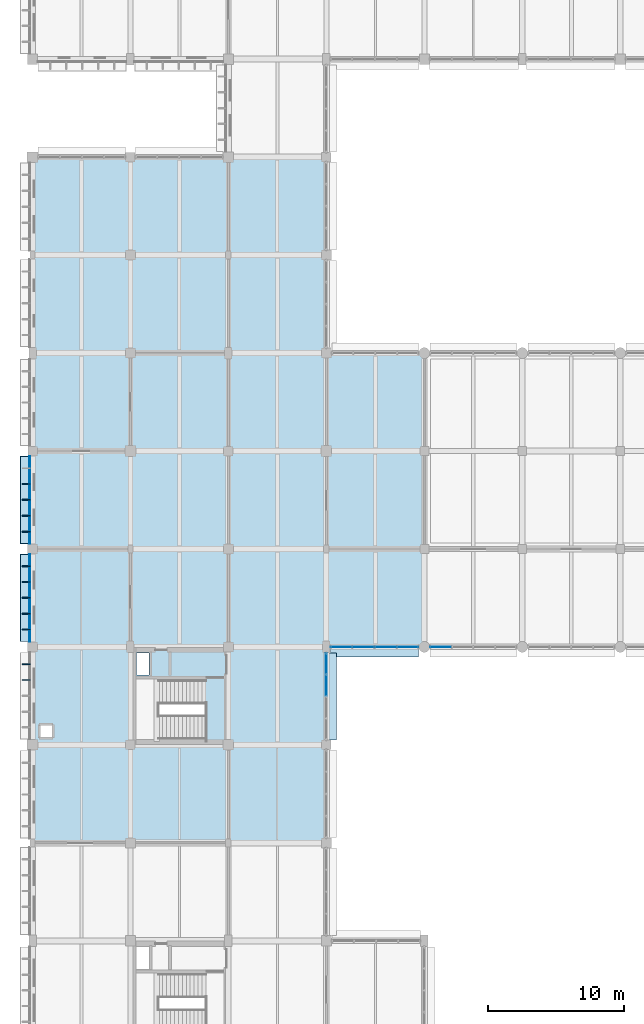
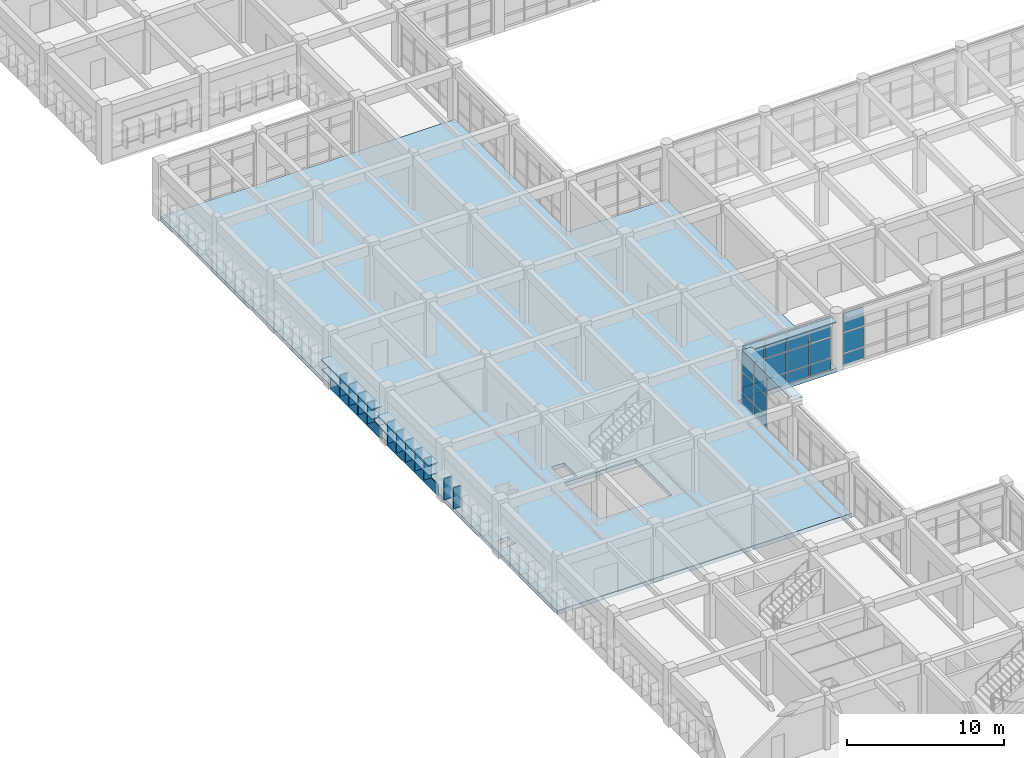
# One storey, part 121 of 171: 40 plates, 1 slab, 3 elements without a shape of their own.
"""IFC4 building model written with IfcOpenShell, lengths in metres."""

import ifcopenshell
import ifcopenshell.guid

model = None  # the IFC model being written
_history = None  # IfcOwnerHistory: only IFC2X3 demands one
_inside = {}  # id of a spatial element -> (the spatial element, [elements in it])
_under = {}  # id of a project, library or spatial element -> (it, [spatial elements below it])
_declared = {}  # id of a project -> (the project, [libraries it declares])
_typed = {}  # id of a type object -> (the type object, [elements of that type])
_made_of = {}  # id of a material, layer set ... -> (it, [elements and type objects made of it])


def new_model(schema):
    """Start an empty IFC model of exactly this schema.

    Asked for "IFC4X3", IfcOpenShell would pick the latest addendum, in which some entities
    have other attributes; the version numbers below select the first issue.
    IFC2X3 requires an IfcOwnerHistory on every rooted entity: one is made here for all.
    """
    global model, _history
    if schema == "IFC4X3":
        model = ifcopenshell.file(schema_version=(4, 3, 0, 0))
    else:
        model = ifcopenshell.file(schema=schema)
    _inside.clear()
    _under.clear()
    _declared.clear()
    _typed.clear()
    _made_of.clear()
    _history = None
    if model.schema == "IFC2X3":
        org = make("IfcOrganization", Name="unknown")
        user = make(
            "IfcPersonAndOrganization",
            ThePerson=make("IfcPerson", FamilyName="unknown"),
            TheOrganization=org,
        )
        app = make(
            "IfcApplication",
            ApplicationDeveloper=org,
            Version="unknown",
            ApplicationFullName="unknown",
            ApplicationIdentifier="unknown",
        )
        _history = make(
            "IfcOwnerHistory",
            OwningUser=user,
            OwningApplication=app,
            ChangeAction="ADDED",
            CreationDate=0,
        )
    return model


def make(cls, **values):
    """One entity of the class cls with the attributes given. An attribute that is None is left unset."""
    return model.create_entity(
        cls, **{name: value for name, value in values.items() if value is not None}
    )


def rooted(cls, **values):
    """An entity with a GlobalId (a new one), such as an element, a storey or a relation."""
    return make(cls, GlobalId=ifcopenshell.guid.new(), OwnerHistory=_history, **values)


def si_unit(unit_type, name, prefix=None):
    """IfcSIUnit, for example si_unit("LENGTHUNIT", "METRE", prefix="MILLI")."""
    return make("IfcSIUnit", UnitType=unit_type, Prefix=prefix, Name=name)


def assignment(units):
    """IfcUnitAssignment: the units of a project."""
    return None if units is None else make("IfcUnitAssignment", Units=units)


def point(xyz):
    """IfcCartesianPoint."""
    return None if xyz is None else make("IfcCartesianPoint", Coordinates=xyz)


def direction(xyz):
    """IfcDirection."""
    return None if xyz is None else make("IfcDirection", DirectionRatios=xyz)


def frame(location, z_axis=None, x_axis=None):
    """IfcAxis2Placement3D, a coordinate frame: its origin and axes. An axis left out is left unset."""
    return make(
        "IfcAxis2Placement3D",
        Location=point(location),
        Axis=direction(z_axis),
        RefDirection=direction(x_axis),
    )


def frame_2d(location, x_axis=None):
    """IfcAxis2Placement2D, a coordinate frame in the plane: its origin and x axis."""
    return make(
        "IfcAxis2Placement2D", Location=point(location), RefDirection=direction(x_axis)
    )


def origin():
    """The frame at (0, 0, 0) with its axes left unset."""
    return frame((0.0, 0.0, 0.0))


def origin_2d():
    """The frame at (0, 0) in the plane with its x axis left unset."""
    return frame_2d((0.0, 0.0))


def place(relative_to, where):
    """IfcLocalPlacement: puts the frame where relative to a parent placement (None: the world)."""
    return make(
        "IfcLocalPlacement", PlacementRelTo=relative_to, RelativePlacement=where
    )


def context(
    kind, dimensions, precision=None, world=None, true_north=None, identifier=None
):
    """IfcGeometricRepresentationContext, for example the 3D "Model" context."""
    return make(
        "IfcGeometricRepresentationContext",
        ContextIdentifier=identifier,
        ContextType=kind,
        CoordinateSpaceDimension=dimensions,
        Precision=precision,
        WorldCoordinateSystem=world,
        TrueNorth=true_north,
    )


def subcontext(parent, identifier, kind, view, scale=None):
    """IfcGeometricRepresentationSubContext, for example "Body" below "Model"."""
    return make(
        "IfcGeometricRepresentationSubContext",
        ContextIdentifier=identifier,
        ContextType=kind,
        ParentContext=parent,
        TargetScale=scale,
        TargetView=view,
    )


def project(units=None, contexts=None):
    """IfcProject with its units and contexts."""
    return rooted(
        "IfcProject",
        Name="project",
        RepresentationContexts=contexts,
        UnitsInContext=assignment(units),
    )


def spatial(cls, under=None, at=None, **own):
    """A site, building, storey or space (cls), placed at a placement, below another one or the project."""
    s = rooted(cls, ObjectPlacement=at, **own)
    if under is not None:
        _under.setdefault(under.id(), (under, []))[1].append(s)
    return s


def polyline(points):
    """IfcPolyline through the points."""
    return make("IfcPolyline", Points=[point(p) for p in points])


def profile(cls, at=None, kind="AREA", **sizes):
    """A parametric profile (cls). Its sizes go by their IFC names, for example OverallWidth=200.0."""
    return make(cls, ProfileType=kind, Position=at, **sizes)


def rectangle(**sizes):
    """IfcRectangleProfileDef."""
    return profile("IfcRectangleProfileDef", **sizes)


def outline(outer, holes=None, kind="AREA"):
    """IfcArbitraryClosedProfileDef: a profile drawn as a closed curve; with holes, ...WithVoids."""
    if holes is None:
        return make("IfcArbitraryClosedProfileDef", ProfileType=kind, OuterCurve=outer)
    return make(
        "IfcArbitraryProfileDefWithVoids",
        ProfileType=kind,
        OuterCurve=outer,
        InnerCurves=holes,
    )


def extrude(swept, where, along, depth):
    """IfcExtrudedAreaSolid: the profile swept, set in the frame where, extruded along a direction by depth."""
    return make(
        "IfcExtrudedAreaSolid",
        SweptArea=swept,
        Position=where,
        ExtrudedDirection=direction(along),
        Depth=depth,
    )


def shape(context_of_items, identifier, shape_type, items):
    """IfcShapeRepresentation: the items that make up one representation, for example the "Body"."""
    return make(
        "IfcShapeRepresentation",
        ContextOfItems=context_of_items,
        RepresentationIdentifier=identifier,
        RepresentationType=shape_type,
        Items=items,
    )


def material(Name=None, Category=None):
    """IfcMaterial."""
    return make("IfcMaterial", Name=Name, Category=Category)


def layer(
    of_material, thickness, ventilated=None, Name=None, Category=None, Priority=None
):
    """IfcMaterialLayer: one layer of a wall or slab, of a material (None: an air gap)."""
    return make(
        "IfcMaterialLayer",
        Material=of_material,
        LayerThickness=thickness,
        IsVentilated=ventilated,
        Name=Name,
        Category=Category,
        Priority=Priority,
    )


def layer_set(layers, Name=None):
    """IfcMaterialLayerSet."""
    return make("IfcMaterialLayerSet", MaterialLayers=layers, LayerSetName=Name)


def made_of(thing, what):
    """Note that an element or type object is made of a material, layer set ...; save() writes the relation."""
    if what is not None:
        _made_of.setdefault(what.id(), (what, []))[1].append(thing)
    return thing


def type_object(cls, material=None, **own):
    """A type object (cls), such as IfcWallType, which elements share."""
    return made_of(rooted(cls, **own), material)


def element(
    cls,
    number,
    at=None,
    inside=None,
    cuts=None,
    type_object=None,
    material=None,
    context=None,
    identifier="Body",
    shape_type=None,
    held_by="IfcProductDefinitionShape",
    body=None,
    shapes=None,
    **own,
):
    """One element of the class cls, such as IfcWall. Its Tag is "e" and its number.

    at: its placement. inside: the storey or other place that contains it. cuts: it is an
    opening in that element (IfcRelVoidsElement). A single representation is given by context,
    identifier, shape_type and body (its items); several are given by shapes. held_by: the class
    of the entity that holds the representations. save() writes the other relations.
    """
    e = rooted(cls, Tag="e%d" % number, ObjectPlacement=at, **own)
    if body is not None:
        shapes = [shape(context, identifier, shape_type, body)]
    if shapes is not None:
        e.Representation = make(held_by, Representations=shapes)
    if inside is not None:
        _inside.setdefault(inside.id(), (inside, []))[1].append(e)
    if cuts is not None:
        rooted(
            "IfcRelVoidsElement", RelatingBuildingElement=cuts, RelatedOpeningElement=e
        )
    if type_object is not None:
        _typed.setdefault(type_object.id(), (type_object, []))[1].append(e)
    return made_of(e, material)


def aggregate(whole, parts):
    """IfcRelAggregates: a whole, such as a stair, and the parts it consists of."""
    return rooted("IfcRelAggregates", RelatingObject=whole, RelatedObjects=parts)


def save(model, path):
    """Write the relations noted so far, then the file.

    IfcRelAggregates (storeys below a building ...), IfcRelContainedInSpatialStructure (elements
    in a storey), IfcRelDefinesByType, IfcRelAssociatesMaterial and IfcRelDeclares: one each for
    every whole, place, type object, material and project.
    """
    for whole, parts in _under.values():
        aggregate(whole, parts)
    for where, things in _inside.values():
        rooted(
            "IfcRelContainedInSpatialStructure",
            RelatedElements=things,
            RelatingStructure=where,
        )
    for kind, things in _typed.values():
        rooted("IfcRelDefinesByType", RelatedObjects=things, RelatingType=kind)
    for what, things in _made_of.values():
        rooted("IfcRelAssociatesMaterial", RelatedObjects=things, RelatingMaterial=what)
    for by, libraries in _declared.values():
        rooted("IfcRelDeclares", RelatingContext=by, RelatedDefinitions=libraries)
    model.write(path)


model = new_model("IFC4")

# Units and contexts
model_context = context("Model", 3, precision=1e-05, world=origin(), true_north=direction((0.0, 1.0)))
body_context = subcontext(model_context, "Body", "Model", "MODEL_VIEW")
ifc_project = project(units=[si_unit("LENGTHUNIT", "METRE"), si_unit("AREAUNIT", "SQUARE_METRE"), si_unit("VOLUMEUNIT", "CUBIC_METRE"), si_unit("PLANEANGLEUNIT", "RADIAN"), si_unit("MASSUNIT", "GRAM", prefix="KILO")], contexts=[model_context])

# Site, building, storey
site_placement = place(None, origin())
site = spatial("IfcSite", under=ifc_project, at=site_placement, CompositionType="ELEMENT")
building_placement = place(site_placement, origin())
building = spatial("IfcBuilding", under=site, at=building_placement, Name="Thalmaran Polytechnic", CompositionType="ELEMENT")
storey_placement = place(building_placement, frame((0.0, 0.0, 5.39990234375)))
storey = spatial("IfcBuildingStorey", under=building, at=storey_placement, Name="L01", CompositionType="ELEMENT", Elevation=5.39990234375)

# Plates
ifc_material_1 = material(Name="Anodised aluminium spandrel band", Category="aluminium")
ifc_layer_1 = layer(ifc_material_1, 0.054931640625, Name="Anodised aluminium spandrel band")
ifc_layer_set_1 = layer_set([ifc_layer_1], Name="Anodised aluminium spandrel band")
plate_type_1 = type_object("IfcPlateType", Name="PT-BD01", PredefinedType="SHEET", material=ifc_layer_set_1)
plate_1_placement = place(storey_placement, frame((-0.195068359375, 54.007568359375, 0.020263671875), z_axis=(0.0, 0.0, 1.0), x_axis=(0.0, 1.0, 0.0)))
element("IfcPlate", 1, at=plate_1_placement, inside=storey, type_object=plate_type_1, Name="Streamline Horizontal Spandrel Band L01-008", PredefinedType="SHEET", context=body_context, shape_type="SweptSolid", body=[
    extrude(rectangle(XDim=6.425048828125, YDim=0.054931640625, at=origin_2d()), origin(), (0.0, 0.0, 1.0), 0.8798828125),
])
plate_2_placement = place(storey_placement, frame((-0.195068359375, 61.205078125, 0.020263671875), z_axis=(0.0, 0.0, 1.0), x_axis=(0.0, 1.0, 0.0)))
element("IfcPlate", 2, at=plate_2_placement, inside=storey, type_object=plate_type_1, Name="Streamline Horizontal Spandrel Band L01-009", PredefinedType="SHEET", context=body_context, shape_type="SweptSolid", body=[
    extrude(rectangle(XDim=6.449951171875, YDim=0.054931640625, at=origin_2d()), origin(), (0.0, 0.0, 1.0), 0.8798828125),
])
ifc_material_2 = material(Name="Anodised aluminium sun-hood eyebrow", Category="aluminium")
ifc_layer_2 = layer(ifc_material_2, 0.0849609375, Name="Anodised aluminium sun-hood eyebrow")
ifc_layer_set_2 = layer_set([ifc_layer_2], Name="Anodised aluminium sun-hood eyebrow")
plate_type_2 = type_object("IfcPlateType", Name="PT-EB01", PredefinedType="SHEET", material=ifc_layer_set_2)
plate_3_placement = place(storey_placement, frame((-0.5400390625, 54.007568359375, 2.517578125), z_axis=(0.0, 0.0, 1.0), x_axis=(0.0, 1.0, 0.0)))
element("IfcPlate", 3, at=plate_3_placement, inside=storey, type_object=plate_type_2, Name="Streamline Sun-Hood Eyebrow L01-008", PredefinedType="SHEET", context=body_context, shape_type="SweptSolid", body=[
    extrude(rectangle(XDim=6.425048828125, YDim=0.760009765625, at=origin_2d()), origin(), (0.0, 0.0, 1.0), 0.0849609375),
])
plate_4_placement = place(storey_placement, frame((-0.52001953125, 54.007568359375, 1.74267578125), z_axis=(0.0, 0.0, 1.0), x_axis=(0.0, 1.0, 0.0)))
element("IfcPlate", 4, at=plate_4_placement, inside=storey, type_object=plate_type_2, Name="Abu Dhabi Horizontal Solar Louvre L01-008", PredefinedType="SHEET", context=body_context, shape_type="SweptSolid", body=[
    extrude(rectangle(XDim=6.385009765625, YDim=0.719970703125, at=origin_2d()), origin(), (0.0, 0.0, 1.0), 0.074951171875),
])
plate_5_placement = place(storey_placement, frame((-0.5400390625, 61.205078125, 2.517578125), z_axis=(0.0, 0.0, 1.0), x_axis=(0.0, 1.0, 0.0)))
element("IfcPlate", 5, at=plate_5_placement, inside=storey, type_object=plate_type_2, Name="Streamline Sun-Hood Eyebrow L01-009", PredefinedType="SHEET", context=body_context, shape_type="SweptSolid", body=[
    extrude(rectangle(XDim=6.449951171875, YDim=0.760009765625, at=origin_2d()), origin(), (0.0, 0.0, 1.0), 0.0849609375),
])
plate_6_placement = place(storey_placement, frame((-0.52001953125, 61.205078125, 1.74267578125), z_axis=(0.0, 0.0, 1.0), x_axis=(0.0, 1.0, 0.0)))
element("IfcPlate", 6, at=plate_6_placement, inside=storey, type_object=plate_type_2, Name="Abu Dhabi Horizontal Solar Louvre L01-009", PredefinedType="SHEET", context=body_context, shape_type="SweptSolid", body=[
    extrude(rectangle(XDim=6.409912109375, YDim=0.719970703125, at=origin_2d()), origin(), (0.0, 0.0, 1.0), 0.074951171875),
])
plate_7_placement = place(storey_placement, frame((25.137451171875, 50.0400390625, 4.107666015625), z_axis=(0.0, 0.0, 1.0), x_axis=(-1.0, 0.0, 0.0)))
element("IfcPlate", 7, at=plate_7_placement, inside=storey, type_object=plate_type_2, Name="Streamline Sun-Hood Eyebrow L01-CW157", PredefinedType="SHEET", context=body_context, shape_type="SweptSolid", body=[
    extrude(rectangle(XDim=6.485107421875, YDim=0.760009765625, at=origin_2d()), origin(), (0.0, 0.0, 1.0), 0.0849609375),
])
plate_8_placement = place(storey_placement, frame((21.9599609375, 46.762451171875, 4.107666015625), z_axis=(0.0, 0.0, 1.0), x_axis=(0.0, -1.0, 0.0)))
element("IfcPlate", 8, at=plate_8_placement, inside=storey, type_object=plate_type_2, Name="Streamline Sun-Hood Eyebrow L01-CW158", PredefinedType="SHEET", context=body_context, shape_type="SweptSolid", body=[
    extrude(rectangle(XDim=6.385009765625, YDim=0.760009765625, at=origin_2d()), origin(), (0.0, 0.0, 1.0), 0.0849609375),
])
ifc_material_3 = material(Name="Anodised bronze brise-soleil fin")
ifc_layer_3 = layer(ifc_material_3, 0.06494140625, Name="Anodised bronze brise-soleil fin")
ifc_layer_set_3 = layer_set([ifc_layer_3], Name="Anodised bronze brise-soleil fin")
plate_type_3 = type_object("IfcPlateType", Name="PT-FN01", PredefinedType="SHEET", material=ifc_layer_set_3)
for number, where, z_axis, x_axis, name in (
    (9, (-0.4599609375, 47.9658203125, 0.895263671875), (0.0, 0.0, 1.0), (0.0, 1.0, 0.0), "Abu Dhabi Solar Brise-Soleil Fin L01-007-4"),
    (10, (-0.4599609375, 49.1240234375, 0.895263671875), (0.0, 0.0, 1.0), (0.0, 1.0, 0.0), "Abu Dhabi Solar Brise-Soleil Fin L01-007-5"),
    (11, (-0.4599609375, 51.68017578125, 0.895263671875), (0.0, 0.0, 1.0), (0.0, 1.0, 0.0), "Abu Dhabi Solar Brise-Soleil Fin L01-008-1"),
    (12, (-0.4599609375, 52.84375, 0.895263671875), (0.0, 0.0, 1.0), (0.0, 1.0, 0.0), "Abu Dhabi Solar Brise-Soleil Fin L01-008-2"),
    (13, (-0.4599609375, 54.007568359375, 0.895263671875), (0.0, 0.0, 1.0), (0.0, 1.0, 0.0), "Abu Dhabi Solar Brise-Soleil Fin L01-008-3"),
    (14, (-0.4599609375, 55.171142578125, 0.895263671875), (0.0, 0.0, 1.0), (0.0, 1.0, 0.0), "Abu Dhabi Solar Brise-Soleil Fin L01-008-4"),
    (15, (-0.4599609375, 56.3349609375, 0.895263671875), (0.0, 0.0, 1.0), (0.0, 1.0, 0.0), "Abu Dhabi Solar Brise-Soleil Fin L01-008-5"),
    (16, (-0.4599609375, 58.86865234375, 0.895263671875), (0.0, 0.0, 1.0), (0.0, 1.0, 0.0), "Abu Dhabi Solar Brise-Soleil Fin L01-009-1"),
    (17, (-0.4599609375, 60.036865234375, 0.895263671875), (0.0, 0.0, 1.0), (0.0, 1.0, 0.0), "Abu Dhabi Solar Brise-Soleil Fin L01-009-2"),
    (18, (-0.4599609375, 61.205078125, 0.895263671875), (0.0, 0.0, 1.0), (0.0, 1.0, 0.0), "Abu Dhabi Solar Brise-Soleil Fin L01-009-3"),
    (19, (-0.4599609375, 62.373291015625, 0.895263671875), (0.0, 0.0, 1.0), (0.0, 1.0, 0.0), "Abu Dhabi Solar Brise-Soleil Fin L01-009-4"),
):
    element("IfcPlate", number, at=place(storey_placement, frame(where, z_axis=z_axis, x_axis=x_axis)), inside=storey, type_object=plate_type_3, Name=name, PredefinedType="SHEET", context=body_context, shape_type="SweptSolid", body=[
        extrude(rectangle(XDim=0.06494140625, YDim=0.56005859375, at=origin_2d()), origin(), (0.0, 0.0, 1.0), 1.64990234375),
    ])

# Curtain wall, plates
ifc_material_4 = material(Name="Aluminium 6063-T6", Category="aluminium")
curtain_wall_type_1 = type_object("IfcCurtainWallType", Name="CW-SC01", PredefinedType="USERDEFINED", material=ifc_material_4)
curtain_wall_1_placement = place(storey_placement, origin())
curtain_wall_1 = element("IfcCurtainWall", 20, at=curtain_wall_1_placement, inside=storey, type_object=curtain_wall_type_1, Name="Curtain Wall CW-L01-156", ObjectType="STICK CURTAIN WALL", PredefinedType="USERDEFINED")
ifc_material_5 = material(Name="Solar-control double low-E glass", Category="glass")
ifc_layer_4 = layer(ifc_material_5, 0.035888671875, Name="Solar-control double low-E glass")
ifc_layer_set_4 = layer_set([ifc_layer_4], Name="Solar-control double low-E glass")
plate_type_4 = type_object("IfcPlateType", Name="PT-GL02", PredefinedType="CURTAIN_PANEL", material=ifc_layer_set_4)
plate_9_placement = place(storey_placement, frame((30.0, 50.39990234375, 1.000244140625), z_axis=(0.0, 0.0, 1.0), x_axis=(-1.0, 0.0, 0.0)))
plate_9 = element("IfcPlate", 21, at=plate_9_placement, type_object=plate_type_4, Name="CW-L01-156 Vision Panel 4-2", PredefinedType="CURTAIN_PANEL", context=body_context, shape_type="SweptSolid", body=[
    extrude(rectangle(XDim=1.5, YDim=0.035888671875, at=origin_2d()), origin(), (0.0, 0.0, 1.0), 1.544921875),
])
plate_10_placement = place(storey_placement, frame((30.0, 50.39990234375, 2.625), z_axis=(0.0, 0.0, 1.0), x_axis=(-1.0, 0.0, 0.0)))
plate_10 = element("IfcPlate", 22, at=plate_10_placement, type_object=plate_type_4, Name="CW-L01-156 Vision Panel 4-3", PredefinedType="CURTAIN_PANEL", context=body_context, shape_type="SweptSolid", body=[
    extrude(rectangle(XDim=1.5, YDim=0.035888671875, at=origin_2d()), origin(), (0.0, 0.0, 1.0), 1.485107421875),
])

curtain_wall_type_2 = type_object("IfcCurtainWallType", Name="CW-UC02", PredefinedType="USERDEFINED", material=ifc_material_4)
curtain_wall_2_placement = place(storey_placement, origin())
curtain_wall_2 = element("IfcCurtainWall", 23, at=curtain_wall_2_placement, inside=storey, type_object=curtain_wall_type_2, Name="Curtain Wall CW-L01-157", ObjectType="UNITISED CURTAIN WALL", PredefinedType="USERDEFINED")
ifc_layer_5 = layer(ifc_material_5, 0.035888671875, Name="Solar-control double low-E glass")
ifc_layer_set_5 = layer_set([ifc_layer_5], Name="Solar-control double low-E glass")
plate_type_5 = type_object("IfcPlateType", Name="PT-GL03", PredefinedType="CURTAIN_PANEL", material=ifc_layer_set_5)
plate_11_placement = place(storey_placement, frame((27.58447265625, 50.39990234375, 1.000244140625), z_axis=(0.0, 0.0, 1.0), x_axis=(-1.0, 0.0, 0.0)))
plate_11 = element("IfcPlate", 24, at=plate_11_placement, type_object=plate_type_5, Name="CW-L01-157 Vision Panel 1-2", PredefinedType="CURTAIN_PANEL", context=body_context, shape_type="SweptSolid", body=[
    extrude(rectangle(XDim=1.53125, YDim=0.035888671875, at=origin_2d()), origin(), (0.0, 0.0, 1.0), 1.544921875),
])
plate_12_placement = place(storey_placement, frame((27.58447265625, 50.39990234375, 2.625), z_axis=(0.0, 0.0, 1.0), x_axis=(-1.0, 0.0, 0.0)))
plate_12 = element("IfcPlate", 25, at=plate_12_placement, type_object=plate_type_5, Name="CW-L01-157 Vision Panel 1-3", PredefinedType="CURTAIN_PANEL", context=body_context, shape_type="SweptSolid", body=[
    extrude(rectangle(XDim=1.53125, YDim=0.035888671875, at=origin_2d()), origin(), (0.0, 0.0, 1.0), 1.485107421875),
])
plate_13_placement = place(storey_placement, frame((25.953125, 50.39990234375, 1.000244140625), z_axis=(0.0, 0.0, 1.0), x_axis=(-1.0, 0.0, 0.0)))
plate_13 = element("IfcPlate", 26, at=plate_13_placement, type_object=plate_type_5, Name="CW-L01-157 Vision Panel 2-2", PredefinedType="CURTAIN_PANEL", context=body_context, shape_type="SweptSolid", body=[
    extrude(rectangle(XDim=1.53125, YDim=0.035888671875, at=origin_2d()), origin(), (0.0, 0.0, 1.0), 1.544921875),
])
plate_14_placement = place(storey_placement, frame((25.953125, 50.39990234375, 2.625), z_axis=(0.0, 0.0, 1.0), x_axis=(-1.0, 0.0, 0.0)))
plate_14 = element("IfcPlate", 27, at=plate_14_placement, type_object=plate_type_5, Name="CW-L01-157 Vision Panel 2-3", PredefinedType="CURTAIN_PANEL", context=body_context, shape_type="SweptSolid", body=[
    extrude(rectangle(XDim=1.53125, YDim=0.035888671875, at=origin_2d()), origin(), (0.0, 0.0, 1.0), 1.485107421875),
])
plate_15_placement = place(storey_placement, frame((24.32177734375, 50.39990234375, 1.000244140625), z_axis=(0.0, 0.0, 1.0), x_axis=(-1.0, 0.0, 0.0)))
plate_15 = element("IfcPlate", 28, at=plate_15_placement, type_object=plate_type_5, Name="CW-L01-157 Vision Panel 3-2", PredefinedType="CURTAIN_PANEL", context=body_context, shape_type="SweptSolid", body=[
    extrude(rectangle(XDim=1.53125, YDim=0.035888671875, at=origin_2d()), origin(), (0.0, 0.0, 1.0), 1.544921875),
])
plate_16_placement = place(storey_placement, frame((24.32177734375, 50.39990234375, 2.625), z_axis=(0.0, 0.0, 1.0), x_axis=(-1.0, 0.0, 0.0)))
plate_16 = element("IfcPlate", 29, at=plate_16_placement, type_object=plate_type_5, Name="CW-L01-157 Vision Panel 3-3", PredefinedType="CURTAIN_PANEL", context=body_context, shape_type="SweptSolid", body=[
    extrude(rectangle(XDim=1.53125, YDim=0.035888671875, at=origin_2d()), origin(), (0.0, 0.0, 1.0), 1.485107421875),
])
plate_17_placement = place(storey_placement, frame((22.690673828125, 50.39990234375, 1.000244140625), z_axis=(0.0, 0.0, 1.0), x_axis=(-1.0, 0.0, 0.0)))
plate_17 = element("IfcPlate", 30, at=plate_17_placement, type_object=plate_type_5, Name="CW-L01-157 Vision Panel 4-2", PredefinedType="CURTAIN_PANEL", context=body_context, shape_type="SweptSolid", body=[
    extrude(rectangle(XDim=1.53125, YDim=0.035888671875, at=origin_2d()), origin(), (0.0, 0.0, 1.0), 1.544921875),
])
plate_18_placement = place(storey_placement, frame((22.690673828125, 50.39990234375, 2.625), z_axis=(0.0, 0.0, 1.0), x_axis=(-1.0, 0.0, 0.0)))
plate_18 = element("IfcPlate", 31, at=plate_18_placement, type_object=plate_type_5, Name="CW-L01-157 Vision Panel 4-3", PredefinedType="CURTAIN_PANEL", context=body_context, shape_type="SweptSolid", body=[
    extrude(rectangle(XDim=1.53125, YDim=0.035888671875, at=origin_2d()), origin(), (0.0, 0.0, 1.0), 1.485107421875),
])

curtain_wall_3_placement = place(storey_placement, origin())
curtain_wall_3 = element("IfcCurtainWall", 32, at=curtain_wall_3_placement, inside=storey, type_object=curtain_wall_type_2, Name="Curtain Wall CW-L01-158", ObjectType="UNITISED CURTAIN WALL", PredefinedType="USERDEFINED")
ifc_layer_6 = layer(ifc_material_5, 0.035888671875, Name="Solar-control double low-E glass")
ifc_layer_set_6 = layer_set([ifc_layer_6], Name="Solar-control double low-E glass")
plate_type_6 = type_object("IfcPlateType", Name="PT-GL04", PredefinedType="CURTAIN_PANEL", material=ifc_layer_set_6)
plate_19_placement = place(storey_placement, frame((21.60009765625, 49.171875, 1.000244140625), z_axis=(0.0, 0.0, 1.0), x_axis=(0.0, -1.0, 0.0)))
plate_19 = element("IfcPlate", 33, at=plate_19_placement, type_object=plate_type_6, Name="CW-L01-158 Vision Panel 1-2", PredefinedType="CURTAIN_PANEL", context=body_context, shape_type="SweptSolid", body=[
    extrude(rectangle(XDim=1.50634765625, YDim=0.035888671875, at=origin_2d()), origin(), (0.0, 0.0, 1.0), 1.544921875),
])
plate_20_placement = place(storey_placement, frame((21.60009765625, 49.171875, 2.625), z_axis=(0.0, 0.0, 1.0), x_axis=(0.0, -1.0, 0.0)))
plate_20 = element("IfcPlate", 34, at=plate_20_placement, type_object=plate_type_6, Name="CW-L01-158 Vision Panel 1-3", PredefinedType="CURTAIN_PANEL", context=body_context, shape_type="SweptSolid", body=[
    extrude(rectangle(XDim=1.50634765625, YDim=0.035888671875, at=origin_2d()), origin(), (0.0, 0.0, 1.0), 1.485107421875),
])
plate_21_placement = place(storey_placement, frame((21.60009765625, 47.565673828125, 1.000244140625), z_axis=(0.0, 0.0, 1.0), x_axis=(0.0, -1.0, 0.0)))
plate_21 = element("IfcPlate", 35, at=plate_21_placement, type_object=plate_type_6, Name="CW-L01-158 Vision Panel 2-2", PredefinedType="CURTAIN_PANEL", context=body_context, shape_type="SweptSolid", body=[
    extrude(rectangle(XDim=1.50634765625, YDim=0.035888671875, at=origin_2d()), origin(), (0.0, 0.0, 1.0), 1.544921875),
])
plate_22_placement = place(storey_placement, frame((21.60009765625, 47.565673828125, 2.625), z_axis=(0.0, 0.0, 1.0), x_axis=(0.0, -1.0, 0.0)))
plate_22 = element("IfcPlate", 36, at=plate_22_placement, type_object=plate_type_6, Name="CW-L01-158 Vision Panel 2-3", PredefinedType="CURTAIN_PANEL", context=body_context, shape_type="SweptSolid", body=[
    extrude(rectangle(XDim=1.50634765625, YDim=0.035888671875, at=origin_2d()), origin(), (0.0, 0.0, 1.0), 1.485107421875),
])

# Plate
ifc_material_6 = material(Name="Insulated anodised aluminium spandrel", Category="aluminium")
ifc_layer_7 = layer(ifc_material_6, 0.06005859375, Name="Insulated anodised aluminium spandrel")
ifc_layer_set_7 = layer_set([ifc_layer_7], Name="Insulated anodised aluminium spandrel")
plate_type_7 = type_object("IfcPlateType", Name="PT-SP01", PredefinedType="CURTAIN_PANEL", material=ifc_layer_set_7)
plate_23_placement = place(storey_placement, frame((30.0, 50.39990234375, 0.10009765625), z_axis=(0.0, 0.0, 1.0), x_axis=(-1.0, 0.0, 0.0)))
plate_23 = element("IfcPlate", 37, at=plate_23_placement, type_object=plate_type_7, Name="CW-L01-156 Spandrel Panel 4-1", PredefinedType="CURTAIN_PANEL", context=body_context, shape_type="SweptSolid", body=[
    extrude(rectangle(XDim=1.5, YDim=0.06005859375, at=origin_2d()), origin(), (0.0, 0.0, 1.0), 0.820068359375),
])

aggregate(curtain_wall_1, [plate_23, plate_9, plate_10])

ifc_layer_8 = layer(ifc_material_6, 0.06005859375, Name="Insulated anodised aluminium spandrel")
ifc_layer_set_8 = layer_set([ifc_layer_8], Name="Insulated anodised aluminium spandrel")
plate_type_8 = type_object("IfcPlateType", Name="PT-SP02", PredefinedType="CURTAIN_PANEL", material=ifc_layer_set_8)
plate_24_placement = place(storey_placement, frame((27.58447265625, 50.39990234375, 0.10009765625), z_axis=(0.0, 0.0, 1.0), x_axis=(-1.0, 0.0, 0.0)))
plate_24 = element("IfcPlate", 38, at=plate_24_placement, type_object=plate_type_8, Name="CW-L01-157 Spandrel Panel 1-1", PredefinedType="CURTAIN_PANEL", context=body_context, shape_type="SweptSolid", body=[
    extrude(rectangle(XDim=1.53125, YDim=0.06005859375, at=origin_2d()), origin(), (0.0, 0.0, 1.0), 0.820068359375),
])

plate_25_placement = place(storey_placement, frame((25.953125, 50.39990234375, 0.10009765625), z_axis=(0.0, 0.0, 1.0), x_axis=(-1.0, 0.0, 0.0)))
plate_25 = element("IfcPlate", 39, at=plate_25_placement, type_object=plate_type_8, Name="CW-L01-157 Spandrel Panel 2-1", PredefinedType="CURTAIN_PANEL", context=body_context, shape_type="SweptSolid", body=[
    extrude(rectangle(XDim=1.53125, YDim=0.06005859375, at=origin_2d()), origin(), (0.0, 0.0, 1.0), 0.820068359375),
])

plate_26_placement = place(storey_placement, frame((24.32177734375, 50.39990234375, 0.10009765625), z_axis=(0.0, 0.0, 1.0), x_axis=(-1.0, 0.0, 0.0)))
plate_26 = element("IfcPlate", 40, at=plate_26_placement, type_object=plate_type_8, Name="CW-L01-157 Spandrel Panel 3-1", PredefinedType="CURTAIN_PANEL", context=body_context, shape_type="SweptSolid", body=[
    extrude(rectangle(XDim=1.53125, YDim=0.06005859375, at=origin_2d()), origin(), (0.0, 0.0, 1.0), 0.820068359375),
])

plate_27_placement = place(storey_placement, frame((22.690673828125, 50.39990234375, 0.10009765625), z_axis=(0.0, 0.0, 1.0), x_axis=(-1.0, 0.0, 0.0)))
plate_27 = element("IfcPlate", 41, at=plate_27_placement, type_object=plate_type_8, Name="CW-L01-157 Spandrel Panel 4-1", PredefinedType="CURTAIN_PANEL", context=body_context, shape_type="SweptSolid", body=[
    extrude(rectangle(XDim=1.53125, YDim=0.06005859375, at=origin_2d()), origin(), (0.0, 0.0, 1.0), 0.820068359375),
])

aggregate(curtain_wall_2, [plate_24, plate_11, plate_12, plate_25, plate_13, plate_14, plate_26, plate_15, plate_16, plate_27, plate_17, plate_18])

ifc_layer_9 = layer(ifc_material_6, 0.06005859375, Name="Insulated anodised aluminium spandrel")
ifc_layer_set_9 = layer_set([ifc_layer_9], Name="Insulated anodised aluminium spandrel")
plate_type_9 = type_object("IfcPlateType", Name="PT-SP03", PredefinedType="CURTAIN_PANEL", material=ifc_layer_set_9)
plate_28_placement = place(storey_placement, frame((21.60009765625, 49.171875, 0.10009765625), z_axis=(0.0, 0.0, 1.0), x_axis=(0.0, -1.0, 0.0)))
plate_28 = element("IfcPlate", 42, at=plate_28_placement, type_object=plate_type_9, Name="CW-L01-158 Spandrel Panel 1-1", PredefinedType="CURTAIN_PANEL", context=body_context, shape_type="SweptSolid", body=[
    extrude(rectangle(XDim=1.50634765625, YDim=0.06005859375, at=origin_2d()), origin(), (0.0, 0.0, 1.0), 0.820068359375),
])

plate_29_placement = place(storey_placement, frame((21.60009765625, 47.565673828125, 0.10009765625), z_axis=(0.0, 0.0, 1.0), x_axis=(0.0, -1.0, 0.0)))
plate_29 = element("IfcPlate", 43, at=plate_29_placement, type_object=plate_type_9, Name="CW-L01-158 Spandrel Panel 2-1", PredefinedType="CURTAIN_PANEL", context=body_context, shape_type="SweptSolid", body=[
    extrude(rectangle(XDim=1.50634765625, YDim=0.06005859375, at=origin_2d()), origin(), (0.0, 0.0, 1.0), 0.820068359375),
])

aggregate(curtain_wall_3, [plate_28, plate_19, plate_20, plate_29, plate_21, plate_22])

# Slab
ifc_material_7 = material(Name="Concrete C40/50", Category="concrete")
ifc_layer_10 = layer(ifc_material_7, 0.31005859375, Name="Concrete C40/50")
ifc_layer_set_10 = layer_set([ifc_layer_10], Name="Concrete C40/50")
slab_type = type_object("IfcSlabType", Name="SL-FL03", PredefinedType="FLOOR", material=ifc_layer_set_10)
slab_placement = place(storey_placement, frame((0.0, 0.0, -0.309814453125)))
element("IfcSlab", 44, at=slab_placement, inside=storey, type_object=slab_type, Name="V1N L01 Structural Slab", PredefinedType="FLOOR", context=body_context, shape_type="SweptSolid", body=[
    extrude(outline(polyline([(0.0, 72.0), (0.0, 79.199951171875), (0.0, 86.39990234375), (7.199951171875, 86.39990234375), (14.39990234375, 86.39990234375), (21.60009765625, 86.39990234375), (21.60009765625, 79.199951171875), (21.60009765625, 72.0), (28.800048828125, 72.0), (28.800048828125, 64.800048828125), (28.800048828125, 57.60009765625), (28.800048828125, 50.39990234375), (21.60009765625, 50.39990234375), (21.60009765625, 43.199951171875), (21.60009765625, 36.0), (14.39990234375, 36.0), (7.199951171875, 36.0), (0.0, 36.0), (0.0, 43.199951171875), (0.0, 50.39990234375), (0.0, 57.60009765625), (0.0, 64.800048828125), (0.0, 72.0)]), holes=[polyline([(7.449951171875, 43.449951171875), (12.719970703125, 43.449951171875), (12.719970703125, 48.0400390625), (7.449951171875, 48.0400390625), (7.449951171875, 43.449951171875)]), polyline([(7.639892578125, 49.9599609375), (7.639892578125, 48.340087890625), (8.56005859375, 48.340087890625), (8.56005859375, 49.9599609375), (7.639892578125, 49.9599609375)]), polyline([(1.449951171875, 44.64990234375), (0.550048828125, 44.64990234375), (0.550048828125, 43.75), (1.449951171875, 43.75), (1.449951171875, 44.64990234375)])]), origin(), (0.0, 0.0, 1.0), 0.309814453125),
])

save(model, "model.ifc")
